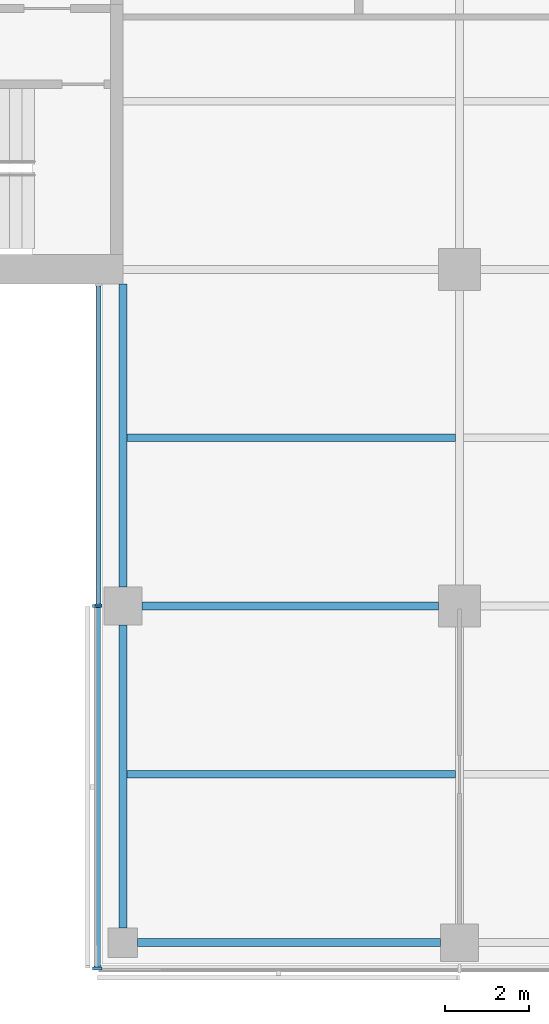
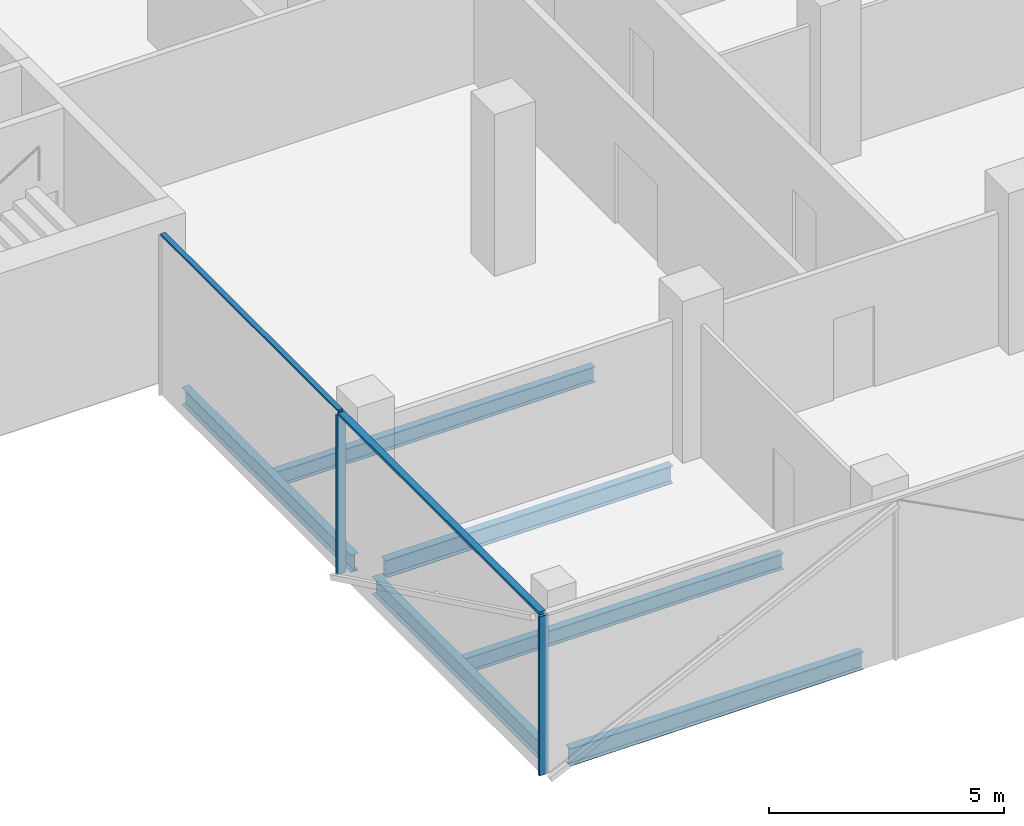
# One storey, part 2 of 22: 6 beams, 5 members, 2 elements without a shape of their own.
"""IFC4 building model written with IfcOpenShell, lengths in metres."""

from ifc_helpers import new_model, si_unit, direction, frame, origin, origin_2d, place, context, subcontext, project, spatial, rectangle, i_section, extrude, material, material_profile, profile_set, type_object, element, aggregate, save


model = new_model("IFC4")

# Units and contexts
model_context = context("Model", 3, precision=1e-05, world=origin(), true_north=direction((0.0, 1.0)))
body_context = subcontext(model_context, "Body", "Model", "MODEL_VIEW")
ifc_project = project(units=[si_unit("LENGTHUNIT", "METRE"), si_unit("AREAUNIT", "SQUARE_METRE"), si_unit("VOLUMEUNIT", "CUBIC_METRE"), si_unit("PLANEANGLEUNIT", "RADIAN"), si_unit("MASSUNIT", "GRAM", prefix="KILO")], contexts=[model_context])

# Site, building, storey
site_placement = place(None, origin())
site = spatial("IfcSite", under=ifc_project, at=site_placement, CompositionType="ELEMENT")
building_placement = place(site_placement, origin())
building = spatial("IfcBuilding", under=site, at=building_placement, Name="Crosswind Convention Tower", CompositionType="ELEMENT")
storey_placement = place(building_placement, frame((0.0, 0.0, 121.10009765625)))
storey = spatial("IfcBuildingStorey", under=building, at=storey_placement, Name="L24", CompositionType="ELEMENT", Elevation=121.10009765625)

# Beams
ifc_material_1 = material(Name="Steel S355", Category="steel")
ifc_material_profile_1 = material_profile(ifc_material_1, i_section(OverallWidth=0.18994140625, OverallDepth=0.45361328125, WebThickness=0.008544921875, FlangeThickness=0.0126953125, FilletRadius=0.01025390625, at=origin_2d()), Name="UB 457x191x67")
ifc_profile_set_1 = profile_set([ifc_material_profile_1], Name="Steel S355")
beam_type_1 = type_object("IfcBeamType", Name="Edge beam UB 457x191x67", PredefinedType="SPANDREL", material=ifc_profile_set_1)
for number, where, z_axis, x_axis, name in (
    (1, (113.0, 72.35009765625, -0.52685546875), (0.0, 1.0, 0.0), (-1.0, 0.0, 0.0), "B16 L24 edge beam 6"),
    (2, (113.0, 80.449951171875, -0.52685546875), (0.0, 1.0, 0.0), (-1.0, 0.0, 0.0), "B16 L24 edge beam 7"),
    (3, (113.35009765625, 72.0, -0.52685546875), (1.0, 0.0, 0.0), (0.0, 1.0, 0.0), "B16 L24 edge beam 10"),
):
    element("IfcBeam", number, at=place(storey_placement, frame(where, z_axis=z_axis, x_axis=x_axis)), inside=storey, type_object=beam_type_1, Name=name, PredefinedType="SPANDREL", context=body_context, shape_type="SweptSolid", body=[
        extrude(i_section(OverallWidth=0.18994140625, OverallDepth=0.45361328125, WebThickness=0.008544921875, FlangeThickness=0.0126953125, FilletRadius=0.01025390625, at=origin_2d()), origin(), (0.0, 0.0, 1.0), 7.199951171875),
    ])
ifc_material_profile_2 = material_profile(ifc_material_1, i_section(OverallWidth=0.19140625, OverallDepth=0.460205078125, WebThickness=0.010009765625, FlangeThickness=0.01611328125, FilletRadius=0.01025390625, at=origin_2d()), Name="UB 457x191x82")
ifc_profile_set_2 = profile_set([ifc_material_profile_2], Name="Steel S355")
beam_type_2 = type_object("IfcBeamType", Name="Girder UB 457x191x82", PredefinedType="BEAM", material=ifc_profile_set_2)
beam_placement = place(storey_placement, frame((113.449951171875, 80.0, -0.5302734375), z_axis=(1.0, 0.0, 0.0), x_axis=(0.0, 1.0, 0.0)))
element("IfcBeam", 4, at=beam_placement, inside=storey, type_object=beam_type_2, Name="B3 L24 girder 1", PredefinedType="BEAM", context=body_context, shape_type="SweptSolid", body=[
    extrude(i_section(OverallWidth=0.19140625, OverallDepth=0.460205078125, WebThickness=0.010009765625, FlangeThickness=0.01611328125, FilletRadius=0.01025390625, at=origin_2d()), origin(), (0.0, 0.0, 1.0), 7.050048828125),
])

# Curtain wall, member
ifc_material_2 = material(Name="Aluminium unitised curtain wall", Category="aluminium")
curtain_wall_type_1 = type_object("IfcCurtainWallType", Name="CORE END SLOT WALL 160", PredefinedType="USERDEFINED", material=ifc_material_2)
curtain_wall_1_placement = place(storey_placement, origin())
curtain_wall_1 = element("IfcCurtainWall", 5, at=curtain_wall_1_placement, inside=storey, type_object=curtain_wall_type_1, Name="CW6 L24 S-W.1-1 slot", ObjectType="UNITISED", PredefinedType="USERDEFINED")
ifc_material_3 = material(Name="Aluminium mullion", Category="aluminium")
ifc_material_profile_3 = material_profile(ifc_material_3, rectangle(XDim=0.159912109375, YDim=0.050048828125, at=origin_2d()), Name="AL 160X50")
ifc_profile_set_3 = profile_set([ifc_material_profile_3], Name="Aluminium mullion")
member_type_1 = type_object("IfcMemberType", Name="MULLION 50X160", PredefinedType="MULLION", material=ifc_profile_set_3)
member_1_placement = place(storey_placement, frame((112.419921875, 80.02490234375, -0.300048828125), z_axis=(0.0, 0.0, 1.0), x_axis=(-1.0, 0.0, 0.0)))
member_1 = element("IfcMember", 6, at=member_1_placement, type_object=member_type_1, Name="CW6 mullion 2", PredefinedType="MULLION", context=body_context, shape_type="SweptSolid", body=[
    extrude(rectangle(XDim=0.159912109375, YDim=0.050048828125, at=origin_2d()), origin(), (0.0, 0.0, 1.0), 4.14990234375),
])

# Curtain wall, members
curtain_wall_type_2 = type_object("IfcCurtainWallType", Name="OFFICE UNITISED WALL 220", PredefinedType="USERDEFINED", material=ifc_material_2)
curtain_wall_2_placement = place(storey_placement, origin())
curtain_wall_2 = element("IfcCurtainWall", 7, at=curtain_wall_2_placement, inside=storey, type_object=curtain_wall_type_2, Name="CW3 L24 S-W 1", ObjectType="UNITISED", PredefinedType="USERDEFINED")
ifc_material_profile_4 = material_profile(ifc_material_3, rectangle(XDim=0.219970703125, YDim=0.070068359375, at=origin_2d()), Name="AL 220X70")
ifc_profile_set_4 = profile_set([ifc_material_profile_4], Name="Aluminium mullion")
member_type_2 = type_object("IfcMemberType", Name="MULLION 70X220", PredefinedType="MULLION", material=ifc_profile_set_4)
member_2_placement = place(storey_placement, frame((112.389892578125, 80.0, -0.300048828125), z_axis=(0.0, 0.0, 1.0), x_axis=(-1.0, 0.0, 0.0)))
member_2 = element("IfcMember", 8, at=member_2_placement, type_object=member_type_2, Name="CW3 mullion 1", PredefinedType="MULLION", context=body_context, shape_type="SweptSolid", body=[
    extrude(rectangle(XDim=0.219970703125, YDim=0.070068359375, at=origin_2d()), origin(), (0.0, 0.0, 1.0), 4.1298828125),
])
member_3_placement = place(storey_placement, frame((112.389892578125, 71.389892578125, -0.300048828125), z_axis=(0.0, 0.0, 1.0), x_axis=(-1.0, 0.0, 0.0)))
member_3 = element("IfcMember", 9, at=member_3_placement, type_object=member_type_2, Name="CW3 mullion 2", PredefinedType="MULLION", context=body_context, shape_type="SweptSolid", body=[
    extrude(rectangle(XDim=0.219970703125, YDim=0.070068359375, at=origin_2d()), origin(), (0.0, 0.0, 1.0), 4.1298828125),
])

# Beams
ifc_material_profile_5 = material_profile(ifc_material_1, i_section(OverallWidth=0.177734375, OverallDepth=0.406494140625, WebThickness=0.0078125, FlangeThickness=0.0126953125, FilletRadius=0.01025390625, at=origin_2d()), Name="UB 406x178x60")
ifc_profile_set_5 = profile_set([ifc_material_profile_5], Name="Steel S355")
beam_type_3 = type_object("IfcBeamType", Name="Secondary beam UB 406x178x60", PredefinedType="JOIST", material=ifc_profile_set_5)
for number, where, z_axis, x_axis, name in (
    (10, (113.094970703125, 76.0, -0.50341796875), (1.0, 0.0, 0.0), (0.0, 1.0, 0.0), "B10 L24 secondary beam 7"),
    (11, (113.094970703125, 84.0, -0.50341796875), (1.0, 0.0, 0.0), (0.0, 1.0, 0.0), "B10 L24 secondary beam 8"),
):
    element("IfcBeam", number, at=place(storey_placement, frame(where, z_axis=z_axis, x_axis=x_axis)), inside=storey, type_object=beam_type_3, Name=name, PredefinedType="JOIST", context=body_context, shape_type="SweptSolid", body=[
        extrude(i_section(OverallWidth=0.177734375, OverallDepth=0.406494140625, WebThickness=0.0078125, FlangeThickness=0.0126953125, FilletRadius=0.01025390625, at=origin_2d()), origin(), (0.0, 0.0, 1.0), 7.809326171875),
    ])

# Member
ifc_material_4 = material(Name="Aluminium transom", Category="aluminium")
ifc_material_profile_6 = material_profile(ifc_material_4, rectangle(XDim=0.1201171875, YDim=0.050048828125, at=origin_2d()), Name="AL 120X50")
ifc_profile_set_6 = profile_set([ifc_material_profile_6], Name="Aluminium transom")
member_type_3 = type_object("IfcMemberType", Name="TRANSOM 50X120", PredefinedType="USERDEFINED", material=ifc_profile_set_6)
member_4_placement = place(storey_placement, frame((112.419921875, 87.60009765625, 3.875), z_axis=(0.0, -1.0, 0.0), x_axis=(1.0, 0.0, 0.0)))
member_4 = element("IfcMember", 12, at=member_4_placement, type_object=member_type_3, Name="CW6 transom", ObjectType="TRANSOM", PredefinedType="USERDEFINED", context=body_context, shape_type="SweptSolid", body=[
    extrude(rectangle(XDim=0.1201171875, YDim=0.050048828125, at=origin_2d()), origin(), (0.0, 0.0, 1.0), 7.550048828125),
])

aggregate(curtain_wall_1, [member_1, member_4])

ifc_material_profile_7 = material_profile(ifc_material_4, rectangle(XDim=0.159912109375, YDim=0.070068359375, at=origin_2d()), Name="AL 160X70")
ifc_profile_set_7 = profile_set([ifc_material_profile_7], Name="Aluminium transom")
member_type_4 = type_object("IfcMemberType", Name="TRANSOM 70X160", PredefinedType="USERDEFINED", material=ifc_profile_set_7)
member_5_placement = place(storey_placement, frame((112.389892578125, 79.965087890625, 3.864990234375), z_axis=(0.0, -1.0, 0.0), x_axis=(1.0, 0.0, 0.0)))
member_5 = element("IfcMember", 13, at=member_5_placement, type_object=member_type_4, Name="CW3 transom", ObjectType="TRANSOM", PredefinedType="USERDEFINED", context=body_context, shape_type="SweptSolid", body=[
    extrude(rectangle(XDim=0.159912109375, YDim=0.070068359375, at=origin_2d()), origin(), (0.0, 0.0, 1.0), 8.5400390625),
])

aggregate(curtain_wall_2, [member_2, member_3, member_5])

save(model, "model.ifc")
